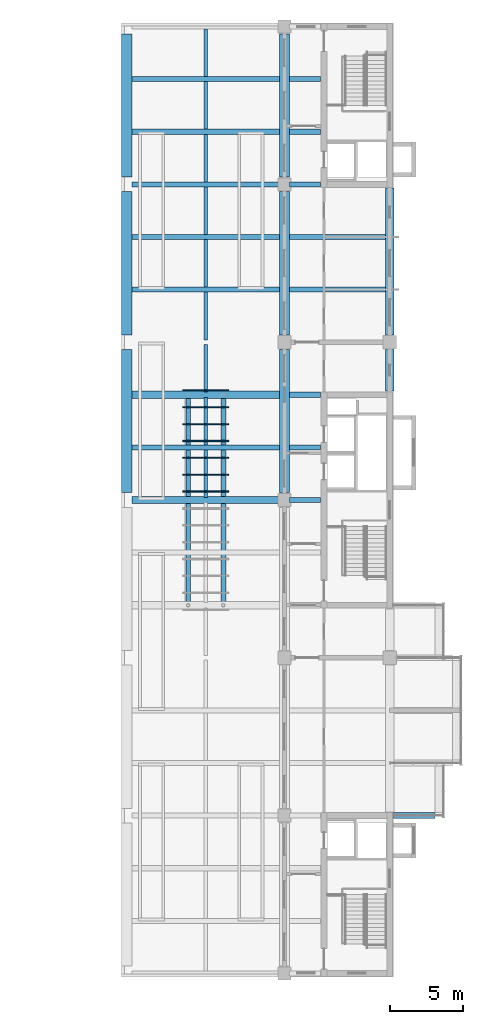
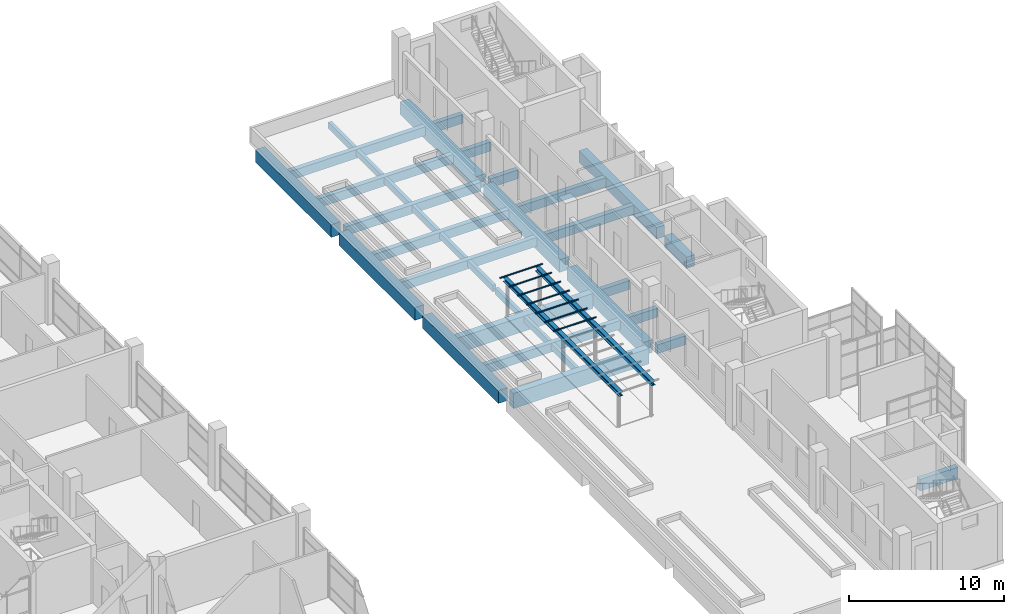
# One storey, part 14 of 32: 36 beams, 7 members.
"""IFC4 building model written with IfcOpenShell, lengths in metres."""

from ifc_helpers import new_model, si_unit, direction, frame, origin, origin_2d, place, context, subcontext, project, spatial, rectangle, hollow_circle, i_section, extrude, material, material_profile, profile_set, type_object, element, save


model = new_model("IFC4")

# Units and contexts
model_context = context("Model", 3, precision=1e-05, world=origin(), true_north=direction((0.0, 1.0)))
body_context = subcontext(model_context, "Body", "Model", "MODEL_VIEW")
ifc_project = project(units=[si_unit("LENGTHUNIT", "METRE"), si_unit("AREAUNIT", "SQUARE_METRE"), si_unit("VOLUMEUNIT", "CUBIC_METRE"), si_unit("PLANEANGLEUNIT", "RADIAN"), si_unit("MASSUNIT", "GRAM", prefix="KILO")], contexts=[model_context])

# Site, building, storey
site_placement = place(None, origin())
site = spatial("IfcSite", under=ifc_project, at=site_placement, CompositionType="ELEMENT")
building_placement = place(site_placement, origin())
building = spatial("IfcBuilding", under=site, at=building_placement, Name="Basin Gate Institute", CompositionType="ELEMENT")
storey_placement = place(building_placement, frame((0.0, 0.0, 41.39990234375)))
storey = spatial("IfcBuildingStorey", under=building, at=storey_placement, Name="L08", CompositionType="ELEMENT", Elevation=41.39990234375)

# Beams
ifc_material_1 = material(Name="Concrete 40 MPa", Category="concrete")
ifc_material_profile_1 = material_profile(ifc_material_1, rectangle(XDim=0.35009765625, YDim=0.699951171875, at=origin_2d()), Name="Beam B1 350 x 700")
ifc_profile_set_1 = profile_set([ifc_material_profile_1], Name="Concrete 40 MPa")
beam_type_1 = type_object("IfcBeamType", Name="Beam B1 R120", PredefinedType="BEAM", material=ifc_profile_set_1)
beam_1_placement = place(storey_placement, frame((114.050048828125, 67.5, -0.599853515625), z_axis=(-1.0, 0.0, 0.0), x_axis=(0.0, -1.0, 0.0)))
element("IfcBeam", 1, at=beam_1_placement, inside=storey, type_object=beam_type_1, material=ifc_profile_set_1, Name="BEAM/L08/E/CORR/10", PredefinedType="BEAM", context=body_context, shape_type="SweptSolid", body=[
    extrude(rectangle(XDim=0.35009765625, YDim=0.699951171875, at=origin_2d()), origin(), (0.0, 0.0, 1.0), 2.10009765625),
])
beam_2_placement = place(storey_placement, frame((111.25, 71.10009765625, -0.599853515625), z_axis=(-1.0, 0.0, 0.0), x_axis=(0.0, -1.0, 0.0)))
element("IfcBeam", 2, at=beam_2_placement, inside=storey, type_object=beam_type_1, material=ifc_profile_set_1, Name="BEAM/L08/E/EW/11", PredefinedType="BEAM", context=body_context, shape_type="SweptSolid", body=[
    extrude(rectangle(XDim=0.35009765625, YDim=0.699951171875, at=origin_2d()), origin(), (0.0, 0.0, 1.0), 10.10009765625),
])
for number, where, z_axis, x_axis, name in (
    (3, (114.050048828125, 71.10009765625, -0.599853515625), (-1.0, 0.0, 0.0), (0.0, -1.0, 0.0), "BEAM/L08/E/CORR/11"),
    (4, (114.050048828125, 74.699951171875, -0.599853515625), (-1.0, 0.0, 0.0), (0.0, -1.0, 0.0), "BEAM/L08/E/CORR/12"),
):
    element("IfcBeam", number, at=place(storey_placement, frame(where, z_axis=z_axis, x_axis=x_axis)), inside=storey, type_object=beam_type_1, material=ifc_profile_set_1, Name=name, PredefinedType="BEAM", context=body_context, shape_type="SweptSolid", body=[
        extrude(rectangle(XDim=0.35009765625, YDim=0.699951171875, at=origin_2d()), origin(), (0.0, 0.0, 1.0), 2.10009765625),
    ])
beam_3_placement = place(storey_placement, frame((111.25, 81.89990234375, -0.599853515625), z_axis=(-1.0, 0.0, 0.0), x_axis=(0.0, -1.0, 0.0)))
element("IfcBeam", 5, at=beam_3_placement, inside=storey, type_object=beam_type_1, material=ifc_profile_set_1, Name="BEAM/L08/E/EW/14", PredefinedType="BEAM", context=body_context, shape_type="SweptSolid", body=[
    extrude(rectangle(XDim=0.35009765625, YDim=0.699951171875, at=origin_2d()), origin(), (0.0, 0.0, 1.0), 10.10009765625),
])
beam_4_placement = place(storey_placement, frame((118.5, 81.89990234375, -0.599853515625), z_axis=(-1.0, 0.0, 0.0), x_axis=(0.0, -1.0, 0.0)))
element("IfcBeam", 6, at=beam_4_placement, inside=storey, type_object=beam_type_1, material=ifc_profile_set_1, Name="BEAM/L08/E/OUT/14", PredefinedType="BEAM", context=body_context, shape_type="SweptSolid", body=[
    extrude(rectangle(XDim=0.35009765625, YDim=0.699951171875, at=origin_2d()), origin(), (0.0, 0.0, 1.0), 6.550048828125),
])
beam_5_placement = place(storey_placement, frame((111.25, 85.5, -0.599853515625), z_axis=(-1.0, 0.0, 0.0), x_axis=(0.0, -1.0, 0.0)))
element("IfcBeam", 7, at=beam_5_placement, inside=storey, type_object=beam_type_1, material=ifc_profile_set_1, Name="BEAM/L08/E/EW/15", PredefinedType="BEAM", context=body_context, shape_type="SweptSolid", body=[
    extrude(rectangle(XDim=0.35009765625, YDim=0.699951171875, at=origin_2d()), origin(), (0.0, 0.0, 1.0), 10.10009765625),
])
beam_6_placement = place(storey_placement, frame((118.5, 85.5, -0.599853515625), z_axis=(-1.0, 0.0, 0.0), x_axis=(0.0, -1.0, 0.0)))
element("IfcBeam", 8, at=beam_6_placement, inside=storey, type_object=beam_type_1, material=ifc_profile_set_1, Name="BEAM/L08/E/OUT/15", PredefinedType="BEAM", context=body_context, shape_type="SweptSolid", body=[
    extrude(rectangle(XDim=0.35009765625, YDim=0.699951171875, at=origin_2d()), origin(), (0.0, 0.0, 1.0), 6.550048828125),
])
beam_7_placement = place(storey_placement, frame((111.25, 89.10009765625, -0.599853515625), z_axis=(-1.0, 0.0, 0.0), x_axis=(0.0, -1.0, 0.0)))
element("IfcBeam", 9, at=beam_7_placement, inside=storey, type_object=beam_type_1, material=ifc_profile_set_1, Name="BEAM/L08/E/EW/16", PredefinedType="BEAM", context=body_context, shape_type="SweptSolid", body=[
    extrude(rectangle(XDim=0.35009765625, YDim=0.699951171875, at=origin_2d()), origin(), (0.0, 0.0, 1.0), 10.10009765625),
])
beam_8_placement = place(storey_placement, frame((114.050048828125, 89.10009765625, -0.599853515625), z_axis=(-1.0, 0.0, 0.0), x_axis=(0.0, -1.0, 0.0)))
element("IfcBeam", 10, at=beam_8_placement, inside=storey, type_object=beam_type_1, material=ifc_profile_set_1, Name="BEAM/L08/E/CORR/16", PredefinedType="BEAM", context=body_context, shape_type="SweptSolid", body=[
    extrude(rectangle(XDim=0.35009765625, YDim=0.699951171875, at=origin_2d()), origin(), (0.0, 0.0, 1.0), 2.10009765625),
])
beam_9_placement = place(storey_placement, frame((111.25, 92.699951171875, -0.599853515625), z_axis=(-1.0, 0.0, 0.0), x_axis=(0.0, -1.0, 0.0)))
element("IfcBeam", 11, at=beam_9_placement, inside=storey, type_object=beam_type_1, material=ifc_profile_set_1, Name="BEAM/L08/E/EW/17", PredefinedType="BEAM", context=body_context, shape_type="SweptSolid", body=[
    extrude(rectangle(XDim=0.35009765625, YDim=0.699951171875, at=origin_2d()), origin(), (0.0, 0.0, 1.0), 10.10009765625),
])
beam_10_placement = place(storey_placement, frame((114.050048828125, 92.699951171875, -0.599853515625), z_axis=(-1.0, 0.0, 0.0), x_axis=(0.0, -1.0, 0.0)))
element("IfcBeam", 12, at=beam_10_placement, inside=storey, type_object=beam_type_1, material=ifc_profile_set_1, Name="BEAM/L08/E/CORR/17", PredefinedType="BEAM", context=body_context, shape_type="SweptSolid", body=[
    extrude(rectangle(XDim=0.35009765625, YDim=0.699951171875, at=origin_2d()), origin(), (0.0, 0.0, 1.0), 2.10009765625),
])
beam_11_placement = place(storey_placement, frame((111.25, 96.300048828125, -0.599853515625), z_axis=(-1.0, 0.0, 0.0), x_axis=(0.0, -1.0, 0.0)))
element("IfcBeam", 13, at=beam_11_placement, inside=storey, type_object=beam_type_1, material=ifc_profile_set_1, Name="BEAM/L08/E/EW/18", PredefinedType="BEAM", context=body_context, shape_type="SweptSolid", body=[
    extrude(rectangle(XDim=0.35009765625, YDim=0.699951171875, at=origin_2d()), origin(), (0.0, 0.0, 1.0), 10.10009765625),
])
beam_12_placement = place(storey_placement, frame((114.050048828125, 96.300048828125, -0.599853515625), z_axis=(-1.0, 0.0, 0.0), x_axis=(0.0, -1.0, 0.0)))
element("IfcBeam", 14, at=beam_12_placement, inside=storey, type_object=beam_type_1, material=ifc_profile_set_1, Name="BEAM/L08/E/CORR/18", PredefinedType="BEAM", context=body_context, shape_type="SweptSolid", body=[
    extrude(rectangle(XDim=0.35009765625, YDim=0.699951171875, at=origin_2d()), origin(), (0.0, 0.0, 1.0), 2.10009765625),
])
ifc_material_2 = material(Name="Concrete 50 MPa", Category="concrete")
ifc_material_profile_2 = material_profile(ifc_material_2, rectangle(XDim=0.39990234375, YDim=0.89990234375, at=origin_2d()), Name="Cantilever beam B3 400 x 900")
ifc_profile_set_2 = profile_set([ifc_material_profile_2], Name="Concrete 50 MPa")
beam_type_2 = type_object("IfcBeamType", Name="Cantilever beam B3 R120", PredefinedType="BEAM", material=ifc_profile_set_2)
beam_13_placement = place(storey_placement, frame((121.89990234375, 45.89990234375, -0.699951171875), z_axis=(-1.0, 0.0, 0.0), x_axis=(0.0, -1.0, 0.0)))
element("IfcBeam", 15, at=beam_13_placement, inside=storey, type_object=beam_type_2, material=ifc_profile_set_2, Name="BEAM/L08/E/CANT/04", PredefinedType="BEAM", context=body_context, shape_type="SweptSolid", body=[
    extrude(rectangle(XDim=0.39990234375, YDim=0.89990234375, at=origin_2d()), origin(), (0.0, 0.0, 1.0), 2.849853515625),
])
ifc_material_3 = material(Name="Concrete 50 MPa", Category="concrete")
ifc_material_profile_3 = material_profile(ifc_material_3, rectangle(XDim=0.60009765625, YDim=0.89990234375, at=origin_2d()), Name="Edge beam EB1 600 x 900")
ifc_profile_set_3 = profile_set([ifc_material_profile_3], Name="Concrete 50 MPa")
beam_type_3 = type_object("IfcBeamType", Name="Edge beam EB1 R120", PredefinedType="SPANDREL", material=ifc_profile_set_3)
beam_14_placement = place(storey_placement, frame((118.800048828125, 78.800048828125, -0.699951171875), z_axis=(0.0, 1.0, 0.0), x_axis=(-1.0, 0.0, 0.0)))
element("IfcBeam", 16, at=beam_14_placement, inside=storey, type_object=beam_type_3, material=ifc_profile_set_3, Name="BEAM/L08/E/EDGE/4", PredefinedType="SPANDREL", context=body_context, shape_type="SweptSolid", body=[
    extrude(rectangle(XDim=0.60009765625, YDim=0.89990234375, at=origin_2d()), origin(), (0.0, 0.0, 1.0), 10.050048828125),
])
ifc_material_4 = material(Name="Concrete 50 MPa", Category="concrete")
ifc_material_profile_4 = material_profile(ifc_material_4, rectangle(XDim=0.60009765625, YDim=0.89990234375, at=origin_2d()), Name="Edge return beam EB3 600 x 900")
ifc_profile_set_4 = profile_set([ifc_material_profile_4], Name="Concrete 50 MPa")
beam_type_4 = type_object("IfcBeamType", Name="Edge return beam EB3 R120", PredefinedType="SPANDREL", material=ifc_profile_set_4)
beam_15_placement = place(storey_placement, frame((118.800048828125, 74.949951171875, -0.699951171875), z_axis=(0.0, 1.0, 0.0), x_axis=(-1.0, 0.0, 0.0)))
element("IfcBeam", 17, at=beam_15_placement, inside=storey, type_object=beam_type_4, material=ifc_profile_set_4, Name="BEAM/L08/E/EDGE/3", PredefinedType="SPANDREL", context=body_context, shape_type="SweptSolid", body=[
    extrude(rectangle(XDim=0.60009765625, YDim=0.89990234375, at=origin_2d()), origin(), (0.0, 0.0, 1.0), 2.85009765625),
])
ifc_material_5 = material(Name="Concrete 40 MPa", Category="concrete")
ifc_material_profile_5 = material_profile(ifc_material_5, rectangle(XDim=0.5, YDim=1.199951171875, at=origin_2d()), Name="Garden transfer beam TB1 500 x 1200")
ifc_profile_set_5 = profile_set([ifc_material_profile_5], Name="Concrete 40 MPa")
beam_type_5 = type_object("IfcBeamType", Name="Garden transfer beam TB1", PredefinedType="BEAM", material=ifc_profile_set_5)
for number, where, z_axis, x_axis, name in (
    (18, (111.25, 67.5, -0.849853515625), (-1.0, 0.0, 0.0), (0.0, -1.0, 0.0), "BEAM/L08/E/EW/10"),
    (19, (111.25, 74.699951171875, -0.849853515625), (-1.0, 0.0, 0.0), (0.0, -1.0, 0.0), "BEAM/L08/E/EW/12"),
):
    element("IfcBeam", number, at=place(storey_placement, frame(where, z_axis=z_axis, x_axis=x_axis)), inside=storey, type_object=beam_type_5, material=ifc_profile_set_5, Name=name, PredefinedType="BEAM", context=body_context, shape_type="SweptSolid", body=[
        extrude(rectangle(XDim=0.5, YDim=1.199951171875, at=origin_2d()), origin(), (0.0, 0.0, 1.0), 10.10009765625),
    ])
ifc_material_6 = material(Name="Concrete 50 MPa", Category="concrete")
ifc_material_profile_6 = material_profile(ifc_material_6, rectangle(XDim=0.699951171875, YDim=1.0, at=origin_2d()), Name="Girder G1 700 x 1000")
ifc_profile_set_6 = profile_set([ifc_material_profile_6], Name="Concrete 50 MPa")
beam_type_6 = type_object("IfcBeamType", Name="Girder G1 R120", PredefinedType="BEAM", material=ifc_profile_set_6)
for number, where, z_axis, x_axis, name in (
    (20, (111.60009765625, 68.0, -0.75), (0.0, 1.0, 0.0), (-1.0, 0.0, 0.0), "GIR/L08/E8/4"),
    (21, (111.60009765625, 78.800048828125, -0.75), (0.0, 1.0, 0.0), (-1.0, 0.0, 0.0), "GIR/L08/E8/5"),
):
    element("IfcBeam", number, at=place(storey_placement, frame(where, z_axis=z_axis, x_axis=x_axis)), inside=storey, type_object=beam_type_6, material=ifc_profile_set_6, Name=name, PredefinedType="BEAM", context=body_context, shape_type="SweptSolid", body=[
        extrude(rectangle(XDim=0.699951171875, YDim=1.0, at=origin_2d()), origin(), (0.0, 0.0, 1.0), 9.800048828125),
    ])
beam_16_placement = place(storey_placement, frame((111.60009765625, 89.60009765625, -0.75), z_axis=(0.0, 1.0, 0.0), x_axis=(-1.0, 0.0, 0.0)))
element("IfcBeam", 22, at=beam_16_placement, inside=storey, type_object=beam_type_6, material=ifc_profile_set_6, Name="GIR/L08/E8/6", PredefinedType="BEAM", context=body_context, shape_type="SweptSolid", body=[
    extrude(rectangle(XDim=0.699951171875, YDim=1.0, at=origin_2d()), origin(), (0.0, 0.0, 1.0), 9.7998046875),
])
for number, where, z_axis, x_axis, name in (
    (23, (100.800048828125, 68.0, -0.75), (0.0, 1.0, 0.0), (-1.0, 0.0, 0.0), "GIR/L08/E7/4"),
    (24, (100.800048828125, 78.800048828125, -0.75), (0.0, 1.0, 0.0), (-1.0, 0.0, 0.0), "GIR/L08/E7/5"),
):
    element("IfcBeam", number, at=place(storey_placement, frame(where, z_axis=z_axis, x_axis=x_axis)), inside=storey, type_object=beam_type_6, material=ifc_profile_set_6, Name=name, PredefinedType="BEAM", context=body_context, shape_type="SweptSolid", body=[
        extrude(rectangle(XDim=0.699951171875, YDim=1.0, at=origin_2d()), origin(), (0.0, 0.0, 1.0), 9.800048828125),
    ])
beam_17_placement = place(storey_placement, frame((100.800048828125, 89.60009765625, -0.75), z_axis=(0.0, 1.0, 0.0), x_axis=(-1.0, 0.0, 0.0)))
element("IfcBeam", 25, at=beam_17_placement, inside=storey, type_object=beam_type_6, material=ifc_profile_set_6, Name="GIR/L08/E7/6", PredefinedType="BEAM", context=body_context, shape_type="SweptSolid", body=[
    extrude(rectangle(XDim=0.699951171875, YDim=1.0, at=origin_2d()), origin(), (0.0, 0.0, 1.0), 9.7998046875),
])
ifc_material_7 = material(Name="Structural steel SN490", Category="steel")
ifc_material_profile_7 = material_profile(ifc_material_7, i_section(OverallWidth=0.300048828125, OverallDepth=0.300048828125, WebThickness=0.010009765625, FlangeThickness=0.014892578125, FilletRadius=0.01806640625, at=origin_2d()), Name="H300x300")
ifc_profile_set_7 = profile_set([ifc_material_profile_7], Name="Structural steel SN490")
beam_type_7 = type_object("IfcBeamType", Name="Pergola beam TC2", PredefinedType="BEAM", material=ifc_profile_set_7)
for number, where, z_axis, x_axis, name in (
    (26, (107.39990234375, 60.0, 2.75), (0.0, 1.0, 0.0), (-1.0, 0.0, 0.0), "Pergola beam TC2 E1"),
    (27, (105.0, 60.0, 2.75), (0.0, 1.0, 0.0), (-1.0, 0.0, 0.0), "Pergola beam TC2 E2"),
):
    element("IfcBeam", number, at=place(storey_placement, frame(where, z_axis=z_axis, x_axis=x_axis)), inside=storey, type_object=beam_type_7, material=ifc_profile_set_7, Name=name, PredefinedType="BEAM", context=body_context, shape_type="SweptSolid", body=[
        extrude(i_section(OverallWidth=0.300048828125, OverallDepth=0.300048828125, WebThickness=0.010009765625, FlangeThickness=0.014892578125, FilletRadius=0.01806640625, at=origin_2d()), origin(), (0.0, 0.0, 1.0), 15.0),
    ])

# Members
ifc_material_8 = material(Name="Structural steel SN490", Category="steel")
ifc_material_profile_8 = material_profile(ifc_material_8, hollow_circle(Radius=0.05712890625, WallThickness=0.0048828125, at=origin_2d()), Name="CHS114x5")
ifc_profile_set_8 = profile_set([ifc_material_profile_8], Name="Structural steel SN490")
member_type = type_object("IfcMemberType", Name="Pergola rafter TD5", PredefinedType="RAFTER", material=ifc_profile_set_8)
for number, where, z_axis, x_axis, name in (
    (28, (107.800048828125, 68.076904296875, 2.955322265625), (-1.0, 0.0, 0.0), (0.0, -1.0, 0.0), "Pergola rafter TD5 E8"),
    (29, (107.800048828125, 69.230712890625, 2.955322265625), (-1.0, 0.0, 0.0), (0.0, -1.0, 0.0), "Pergola rafter TD5 E9"),
    (30, (107.800048828125, 70.384521484375, 2.955322265625), (-1.0, 0.0, 0.0), (0.0, -1.0, 0.0), "Pergola rafter TD5 E10"),
    (31, (107.800048828125, 71.53857421875, 2.955322265625), (-1.0, 0.0, 0.0), (0.0, -1.0, 0.0), "Pergola rafter TD5 E11"),
    (32, (107.800048828125, 72.6923828125, 2.955322265625), (-1.0, 0.0, 0.0), (0.0, -1.0, 0.0), "Pergola rafter TD5 E12"),
    (33, (107.800048828125, 73.84619140625, 2.955322265625), (-1.0, 0.0, 0.0), (0.0, -1.0, 0.0), "Pergola rafter TD5 E13"),
    (34, (107.800048828125, 75.0, 2.955322265625), (-1.0, 0.0, 0.0), (0.0, -1.0, 0.0), "Pergola rafter TD5 E14"),
):
    element("IfcMember", number, at=place(storey_placement, frame(where, z_axis=z_axis, x_axis=x_axis)), inside=storey, type_object=member_type, material=ifc_profile_set_8, Name=name, PredefinedType="RAFTER", context=body_context, shape_type="SweptSolid", body=[
        extrude(hollow_circle(Radius=0.05712890625, WallThickness=0.0048828125, at=origin_2d()), origin(), (0.0, 0.0, 1.0), 3.199951171875),
    ])

# Beams
ifc_material_9 = material(Name="Concrete 40 MPa", Category="concrete")
ifc_material_profile_9 = material_profile(ifc_material_9, rectangle(XDim=0.25, YDim=0.5, at=origin_2d()), Name="Rib R1 250 x 500")
ifc_profile_set_9 = profile_set([ifc_material_profile_9], Name="Concrete 40 MPa")
beam_type_8 = type_object("IfcBeamType", Name="Rib R1 R120", PredefinedType="JOIST", material=ifc_profile_set_9)
for number, where, z_axis, x_axis, name in (
    (35, (106.199951171875, 67.675048828125, -0.5), (0.0, 1.0, 0.0), (-1.0, 0.0, 0.0), "BEAM/L08/E/RIB/10"),
    (36, (106.199951171875, 71.27490234375, -0.5), (0.0, 1.0, 0.0), (-1.0, 0.0, 0.0), "BEAM/L08/E/RIB/11"),
):
    element("IfcBeam", number, at=place(storey_placement, frame(where, z_axis=z_axis, x_axis=x_axis)), inside=storey, type_object=beam_type_8, material=ifc_profile_set_9, Name=name, PredefinedType="JOIST", context=body_context, shape_type="SweptSolid", body=[
        extrude(rectangle(XDim=0.25, YDim=0.5, at=origin_2d()), origin(), (0.0, 0.0, 1.0), 3.25),
    ])
beam_18_placement = place(storey_placement, frame((106.199951171875, 74.875, -0.5), z_axis=(0.0, 1.0, 0.0), x_axis=(-1.0, 0.0, 0.0)))
element("IfcBeam", 37, at=beam_18_placement, inside=storey, type_object=beam_type_8, material=ifc_profile_set_9, Name="BEAM/L08/E/RIB/12", PredefinedType="JOIST", context=body_context, shape_type="SweptSolid", body=[
    extrude(rectangle(XDim=0.25, YDim=0.5, at=origin_2d()), origin(), (0.0, 0.0, 1.0), 3.27490234375),
])
beam_19_placement = place(storey_placement, frame((106.199951171875, 78.449951171875, -0.5), z_axis=(0.0, 1.0, 0.0), x_axis=(-1.0, 0.0, 0.0)))
element("IfcBeam", 38, at=beam_19_placement, inside=storey, type_object=beam_type_8, material=ifc_profile_set_9, Name="BEAM/L08/E/RIB/13", PredefinedType="JOIST", context=body_context, shape_type="SweptSolid", body=[
    extrude(rectangle(XDim=0.25, YDim=0.5, at=origin_2d()), origin(), (0.0, 0.0, 1.0), 3.275146484375),
])
for number, where, z_axis, x_axis, name in (
    (39, (106.199951171875, 82.074951171875, -0.5), (0.0, 1.0, 0.0), (-1.0, 0.0, 0.0), "BEAM/L08/E/RIB/14"),
    (40, (106.199951171875, 85.675048828125, -0.5), (0.0, 1.0, 0.0), (-1.0, 0.0, 0.0), "BEAM/L08/E/RIB/15"),
    (41, (106.199951171875, 89.27490234375, -0.5), (0.0, 1.0, 0.0), (-1.0, 0.0, 0.0), "BEAM/L08/E/RIB/16"),
    (42, (106.199951171875, 92.875, -0.5), (0.0, 1.0, 0.0), (-1.0, 0.0, 0.0), "BEAM/L08/E/RIB/17"),
    (43, (106.199951171875, 96.47509765625, -0.5), (0.0, 1.0, 0.0), (-1.0, 0.0, 0.0), "BEAM/L08/E/RIB/18"),
):
    element("IfcBeam", number, at=place(storey_placement, frame(where, z_axis=z_axis, x_axis=x_axis)), inside=storey, type_object=beam_type_8, material=ifc_profile_set_9, Name=name, PredefinedType="JOIST", context=body_context, shape_type="SweptSolid", body=[
        extrude(rectangle(XDim=0.25, YDim=0.5, at=origin_2d()), origin(), (0.0, 0.0, 1.0), 3.25),
    ])

save(model, "model.ifc")
